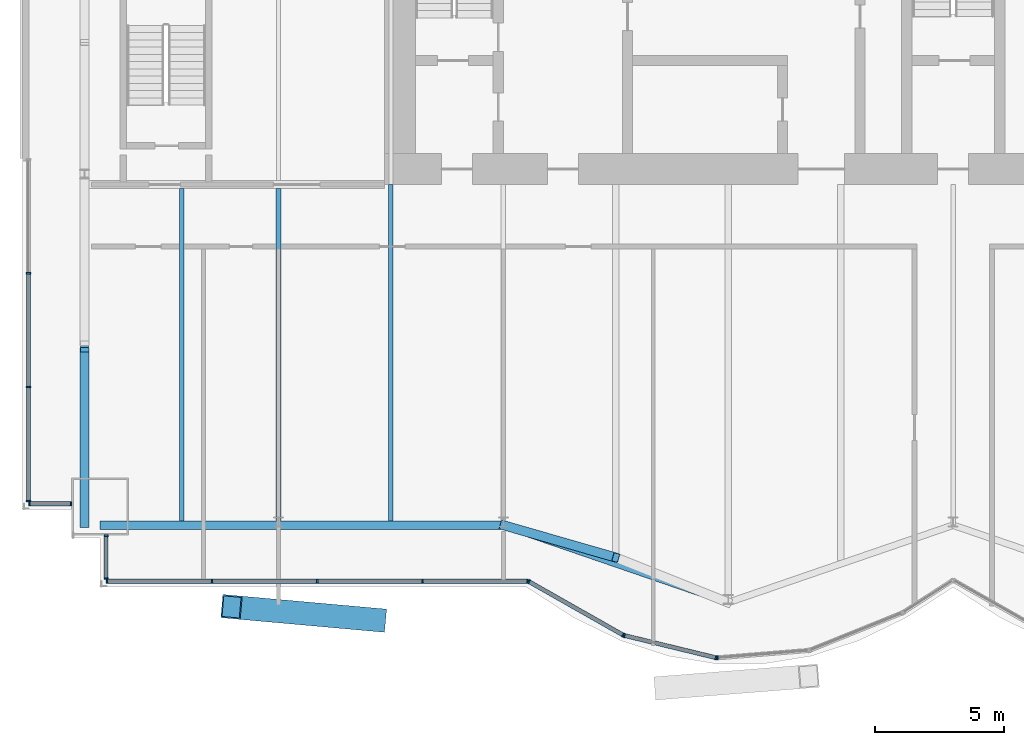
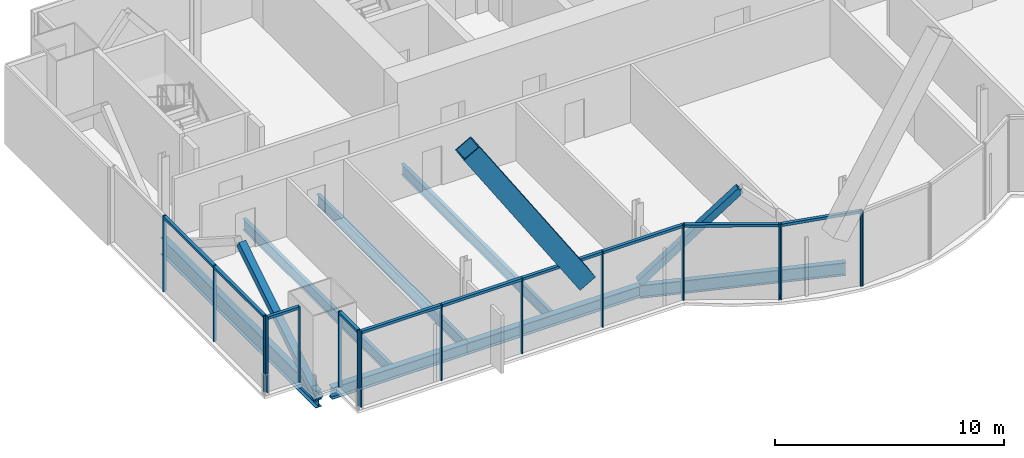
# One storey, part 5 of 19: 30 members, 7 beams, 5 elements without a shape of their own.
"""IFC4 building model written with IfcOpenShell, lengths in metres."""

from ifc_helpers import new_model, si_unit, direction, frame, origin, origin_2d, place, context, subcontext, project, spatial, rectangle, hollow_rectangle, i_section, extrude, material, material_profile, profile_set, type_object, element, aggregate, save


model = new_model("IFC4")

# Units and contexts
model_context = context("Model", 3, precision=1e-05, world=origin(), true_north=direction((0.0, 1.0)))
body_context = subcontext(model_context, "Body", "Model", "MODEL_VIEW")
ifc_project = project(units=[si_unit("LENGTHUNIT", "METRE"), si_unit("AREAUNIT", "SQUARE_METRE"), si_unit("VOLUMEUNIT", "CUBIC_METRE"), si_unit("PLANEANGLEUNIT", "RADIAN"), si_unit("MASSUNIT", "GRAM", prefix="KILO")], contexts=[model_context])

# Site, building, storey
site_placement = place(None, origin())
site = spatial("IfcSite", under=ifc_project, at=site_placement, CompositionType="ELEMENT")
building_placement = place(site_placement, origin())
building = spatial("IfcBuilding", under=site, at=building_placement, Name="Bicima Exchange Tower", CompositionType="ELEMENT")
storey_placement = place(building_placement, frame((0.0, 0.0, 270.800048828125)))
storey = spatial("IfcBuildingStorey", under=building, at=storey_placement, Name="L61", CompositionType="ELEMENT", Elevation=270.800048828125)

# Curtain wall, members
ifc_material_1 = material(Name="Anodised bronze aluminium", Category="aluminium")
curtain_wall_type_1 = type_object("IfcCurtainWallType", Name="End face glass wall", PredefinedType="NOTDEFINED", material=ifc_material_1)
curtain_wall_1_placement = place(storey_placement, origin())
curtain_wall_1 = element("IfcCurtainWall", 1, at=curtain_wall_1_placement, inside=storey, type_object=curtain_wall_type_1, Name="End face glass wall L61 run 2", PredefinedType="NOTDEFINED")
ifc_material_profile_1 = material_profile(ifc_material_1, rectangle(XDim=0.159912109375, YDim=0.06005859375, at=origin_2d()))
ifc_profile_set_1 = profile_set([ifc_material_profile_1], Name="Anodised bronze aluminium")
member_type_1 = type_object("IfcMemberType", Name="End face glass wall mullion 60 x 160", PredefinedType="MULLION", material=ifc_profile_set_1)
member_1_placement = place(storey_placement, frame((-35.77001953125, -16.433349609375, 0.0), z_axis=(0.0, 0.0, 1.0), x_axis=(1.0, 0.0, 0.0)))
member_1 = element("IfcMember", 2, at=member_1_placement, type_object=member_type_1, Name="End face glass wall mullion 2", PredefinedType="MULLION", context=body_context, shape_type="SweptSolid", body=[
    extrude(rectangle(XDim=0.159912109375, YDim=0.06005859375, at=origin_2d()), origin(), (0.0, 0.0, 1.0), 4.050048828125),
])
member_2_placement = place(storey_placement, frame((-35.77001953125, -20.836669921875, 0.0), z_axis=(0.0, 0.0, 1.0), x_axis=(1.0, 0.0, 0.0)))
member_2 = element("IfcMember", 3, at=member_2_placement, type_object=member_type_1, Name="End face glass wall mullion 3", PredefinedType="MULLION", context=body_context, shape_type="SweptSolid", body=[
    extrude(rectangle(XDim=0.159912109375, YDim=0.06005859375, at=origin_2d()), origin(), (0.0, 0.0, 1.0), 4.050048828125),
])
member_3_placement = place(storey_placement, frame((-35.77001953125, -25.239990234375, 0.0), z_axis=(0.0, 0.0, 1.0), x_axis=(1.0, 0.0, 0.0)))
member_3 = element("IfcMember", 4, at=member_3_placement, type_object=member_type_1, Name="End face glass wall mullion 4", PredefinedType="MULLION", context=body_context, shape_type="SweptSolid", body=[
    extrude(rectangle(XDim=0.159912109375, YDim=0.06005859375, at=origin_2d()), origin(), (0.0, 0.0, 1.0), 4.050048828125),
])
ifc_material_profile_2 = material_profile(ifc_material_1, rectangle(XDim=0.159912109375, YDim=0.139892578125, at=origin_2d()))
ifc_profile_set_2 = profile_set([ifc_material_profile_2], Name="Anodised bronze aluminium")
member_type_2 = type_object("IfcMemberType", Name="End face glass wall transom 140 x 160", PredefinedType="USERDEFINED", material=ifc_profile_set_2)
member_4_placement = place(storey_placement, frame((-35.77001953125, -16.46337890625, 3.97998046875), z_axis=(0.0, -1.0, 0.0), x_axis=(1.0, 0.0, 0.0)))
member_4 = element("IfcMember", 5, at=member_4_placement, type_object=member_type_2, Name="End face glass wall transom 2.1", ObjectType="TRANSOM", PredefinedType="USERDEFINED", context=body_context, shape_type="SweptSolid", body=[
    extrude(rectangle(XDim=0.159912109375, YDim=0.139892578125, at=origin_2d()), origin(), (0.0, 0.0, 1.0), 4.34326171875),
])
member_5_placement = place(storey_placement, frame((-35.77001953125, -20.86669921875, 3.97998046875), z_axis=(0.0, -1.0, 0.0), x_axis=(1.0, 0.0, 0.0)))
member_5 = element("IfcMember", 6, at=member_5_placement, type_object=member_type_2, Name="End face glass wall transom 3.1", ObjectType="TRANSOM", PredefinedType="USERDEFINED", context=body_context, shape_type="SweptSolid", body=[
    extrude(rectangle(XDim=0.159912109375, YDim=0.139892578125, at=origin_2d()), origin(), (0.0, 0.0, 1.0), 4.34326171875),
])
aggregate(curtain_wall_1, [member_1, member_2, member_3, member_4, member_5])

# Beam
ifc_material_2 = material(Name="Steel ASTM A992 Gr 50", Category="steel")
ifc_material_profile_3 = material_profile(ifc_material_2, i_section(OverallWidth=0.3046875, OverallDepth=0.911865234375, WebThickness=0.015869140625, FlangeThickness=0.02392578125, at=origin_2d()))
ifc_profile_set_3 = profile_set([ifc_material_profile_3], Name="Steel ASTM A992 Gr 50")
beam_type_1 = type_object("IfcBeamType", Name="End girder W36x150", PredefinedType="BEAM", material=ifc_profile_set_3)
beam_1_placement = place(storey_placement, frame((-33.60009765625, -12.60009765625, -0.60595703125), z_axis=(0.0, -1.0, 0.0), x_axis=(1.0, 0.0, 0.0)))
element("IfcBeam", 7, at=beam_1_placement, inside=storey, type_object=beam_type_1, Name="End girder", PredefinedType="BEAM", context=body_context, shape_type="SweptSolid", body=[
    extrude(i_section(OverallWidth=0.3046875, OverallDepth=0.911865234375, WebThickness=0.015869140625, FlangeThickness=0.02392578125, at=origin_2d()), origin(), (0.0, 0.0, 1.0), 13.579833984375),
])

# Member
ifc_material_3 = material(Name="Steel ASTM A572 Gr 50", Category="steel")
ifc_material_profile_4 = material_profile(ifc_material_3, hollow_rectangle(XDim=0.89990234375, YDim=0.89990234375, WallThickness=0.050048828125, at=origin_2d()))
ifc_profile_set_4 = profile_set([ifc_material_profile_4], Name="Steel ASTM A572 Gr 50")
member_type_3 = type_object("IfcMemberType", Name="Exo mega brace BOX 900x900x50", PredefinedType="BRACE", material=ifc_profile_set_4)
member_6_placement = place(storey_placement, frame((-22.333251953125, -29.841796875, 4.099853515625), z_axis=(-0.543893010913, 0.048657853097, 0.837742684845), x_axis=(-0.089106307825, -0.996022121193, 0.0)))
element("IfcMember", 8, at=member_6_placement, inside=storey, type_object=member_type_3, Name="Exo mega brace front", PredefinedType="BRACE", context=body_context, shape_type="SweptSolid", body=[
    extrude(hollow_rectangle(XDim=0.89990234375, YDim=0.89990234375, WallThickness=0.050048828125, at=origin_2d()), origin(), (0.0, 0.0, 1.0), 10.265869140625),
])

# Beams
ifc_material_profile_5 = material_profile(ifc_material_2, i_section(OverallWidth=0.177978515625, OverallDepth=0.599365234375, WebThickness=0.010009765625, FlangeThickness=0.012939453125, at=origin_2d()))
ifc_profile_set_5 = profile_set([ifc_material_profile_5], Name="Steel ASTM A992 Gr 50")
beam_type_2 = type_object("IfcBeamType", Name="Floor beam W24x55", PredefinedType="JOIST", material=ifc_profile_set_5)
for number, where, z_axis, x_axis, name in (
    (9, (-29.85009765625, -13.15234375, -0.44970703125), (0.0, -1.0, 0.0), (1.0, 0.0, 0.0), "Floor beam"),
    (10, (-26.10009765625, -13.15234375, -0.44970703125), (0.0, -1.0, 0.0), (1.0, 0.0, 0.0), "Floor beam"),
):
    element("IfcBeam", number, at=place(storey_placement, frame(where, z_axis=z_axis, x_axis=x_axis)), inside=storey, type_object=beam_type_2, Name=name, PredefinedType="JOIST", context=body_context, shape_type="SweptSolid", body=[
        extrude(i_section(OverallWidth=0.177978515625, OverallDepth=0.599365234375, WebThickness=0.010009765625, FlangeThickness=0.012939453125, at=origin_2d()), origin(), (0.0, 0.0, 1.0), 12.864990234375),
    ])
beam_2_placement = place(storey_placement, frame((-21.75, -13.0, -0.44970703125), z_axis=(0.0, -1.0, 0.0), x_axis=(1.0, 0.0, 0.0)))
element("IfcBeam", 11, at=beam_2_placement, inside=storey, type_object=beam_type_2, Name="Floor beam", PredefinedType="JOIST", context=body_context, shape_type="SweptSolid", body=[
    extrude(i_section(OverallWidth=0.177978515625, OverallDepth=0.599365234375, WebThickness=0.010009765625, FlangeThickness=0.012939453125, at=origin_2d()), origin(), (0.0, 0.0, 1.0), 13.017333984375),
])
ifc_material_profile_6 = material_profile(ifc_material_2, i_section(OverallWidth=0.3251953125, OverallDepth=0.612060546875, WebThickness=0.0126953125, FlangeThickness=0.01904296875, at=origin_2d()))
ifc_profile_set_6 = profile_set([ifc_material_profile_6], Name="Steel ASTM A992 Gr 50")
beam_type_3 = type_object("IfcBeamType", Name="Front girder W24x104", PredefinedType="BEAM", material=ifc_profile_set_6)
beam_3_placement = place(storey_placement, frame((-33.0, -26.179931640625, -0.4560546875), z_axis=(1.0, 0.0, 0.0), x_axis=(0.0, 1.0, 0.0)))
element("IfcBeam", 12, at=beam_3_placement, inside=storey, type_object=beam_type_3, Name="Front girder", PredefinedType="BEAM", context=body_context, shape_type="SweptSolid", body=[
    extrude(i_section(OverallWidth=0.3251953125, OverallDepth=0.612060546875, WebThickness=0.0126953125, FlangeThickness=0.01904296875, at=origin_2d()), origin(), (0.0, 0.0, 1.0), 6.89990234375),
])
beam_4_placement = place(storey_placement, frame((-26.10009765625, -26.179931640625, -0.4560546875), z_axis=(1.0, 0.0, 0.0), x_axis=(0.0, 1.0, 0.0)))
element("IfcBeam", 13, at=beam_4_placement, inside=storey, type_object=beam_type_3, Name="Front girder", PredefinedType="BEAM", context=body_context, shape_type="SweptSolid", body=[
    extrude(i_section(OverallWidth=0.3251953125, OverallDepth=0.612060546875, WebThickness=0.0126953125, FlangeThickness=0.01904296875, at=origin_2d()), origin(), (0.0, 0.0, 1.0), 8.7001953125),
])
ifc_material_profile_7 = material_profile(ifc_material_2, i_section(OverallWidth=0.256591796875, OverallDepth=0.693359375, WebThickness=0.014404296875, FlangeThickness=0.023681640625, at=origin_2d()))
ifc_profile_set_7 = profile_set([ifc_material_profile_7], Name="Steel ASTM A992 Gr 50")
beam_type_4 = type_object("IfcBeamType", Name="Front girder W27x114", PredefinedType="BEAM", material=ifc_profile_set_7)
beam_5_placement = place(storey_placement, frame((-17.39990234375, -26.179931640625, -0.496826171875), z_axis=(0.945666456746, -0.325138359143, 0.0), x_axis=(0.325138359143, 0.945666456746, 0.0)))
element("IfcBeam", 14, at=beam_5_placement, inside=storey, type_object=beam_type_4, Name="Front girder", PredefinedType="BEAM", context=body_context, shape_type="SweptSolid", body=[
    extrude(i_section(OverallWidth=0.256591796875, OverallDepth=0.693359375, WebThickness=0.014404296875, FlangeThickness=0.023681640625, at=origin_2d()), origin(), (0.0, 0.0, 1.0), 9.19970703125),
])

# Curtain wall, members
curtain_wall_type_2 = type_object("IfcCurtainWallType", Name="Front glass wall", PredefinedType="NOTDEFINED", material=ifc_material_1)
curtain_wall_2_placement = place(storey_placement, origin())
curtain_wall_2 = element("IfcCurtainWall", 15, at=curtain_wall_2_placement, inside=storey, type_object=curtain_wall_type_2, Name="Front glass wall L61 run 3", PredefinedType="NOTDEFINED")
member_type_4 = type_object("IfcMemberType", Name="Front glass wall mullion 60 x 160", PredefinedType="MULLION", material=ifc_profile_set_1)
member_7_placement = place(storey_placement, frame((-35.739990234375, -25.35009765625, 0.0), z_axis=(0.0, 0.0, 1.0), x_axis=(0.0, 1.0, 0.0)))
member_7 = element("IfcMember", 16, at=member_7_placement, type_object=member_type_4, Name="Front glass wall mullion 1", PredefinedType="MULLION", context=body_context, shape_type="SweptSolid", body=[
    extrude(rectangle(XDim=0.159912109375, YDim=0.06005859375, at=origin_2d()), origin(), (0.0, 0.0, 1.0), 4.050048828125),
])
member_8_placement = place(storey_placement, frame((-34.1298828125, -25.35009765625, 0.0), z_axis=(0.0, 0.0, 1.0), x_axis=(0.0, 1.0, 0.0)))
member_8 = element("IfcMember", 17, at=member_8_placement, type_object=member_type_4, Name="Front glass wall mullion 2", PredefinedType="MULLION", context=body_context, shape_type="SweptSolid", body=[
    extrude(rectangle(XDim=0.159912109375, YDim=0.06005859375, at=origin_2d()), origin(), (0.0, 0.0, 1.0), 4.050048828125),
])

curtain_wall_3_placement = place(storey_placement, origin())
curtain_wall_3 = element("IfcCurtainWall", 18, at=curtain_wall_3_placement, inside=storey, type_object=curtain_wall_type_2, Name="Front glass wall L61 run 4", PredefinedType="NOTDEFINED")
member_9_placement = place(storey_placement, frame((-32.77001953125, -26.587890625, 0.0), z_axis=(0.0, 0.0, 1.0), x_axis=(1.0, 0.0, 0.0)))
member_9 = element("IfcMember", 19, at=member_9_placement, type_object=member_type_4, Name="Front glass wall mullion 1", PredefinedType="MULLION", context=body_context, shape_type="SweptSolid", body=[
    extrude(rectangle(XDim=0.159912109375, YDim=0.06005859375, at=origin_2d()), origin(), (0.0, 0.0, 1.0), 4.050048828125),
])
member_10_placement = place(storey_placement, frame((-32.77001953125, -28.239990234375, 0.0), z_axis=(0.0, 0.0, 1.0), x_axis=(1.0, 0.0, 0.0)))
member_10 = element("IfcMember", 20, at=member_10_placement, type_object=member_type_4, Name="Front glass wall mullion 2", PredefinedType="MULLION", context=body_context, shape_type="SweptSolid", body=[
    extrude(rectangle(XDim=0.159912109375, YDim=0.06005859375, at=origin_2d()), origin(), (0.0, 0.0, 1.0), 4.050048828125),
])

curtain_wall_4_placement = place(storey_placement, origin())
curtain_wall_4 = element("IfcCurtainWall", 21, at=curtain_wall_4_placement, inside=storey, type_object=curtain_wall_type_2, Name="Front glass wall L61 run 5", PredefinedType="NOTDEFINED")
member_11_placement = place(storey_placement, frame((-32.739990234375, -28.35009765625, 0.0), z_axis=(0.0, 0.0, 1.0), x_axis=(0.0, 1.0, 0.0)))
member_11 = element("IfcMember", 22, at=member_11_placement, type_object=member_type_4, Name="Front glass wall mullion 1", PredefinedType="MULLION", context=body_context, shape_type="SweptSolid", body=[
    extrude(rectangle(XDim=0.159912109375, YDim=0.06005859375, at=origin_2d()), origin(), (0.0, 0.0, 1.0), 4.050048828125),
])
member_12_placement = place(storey_placement, frame((-28.67041015625, -28.35009765625, 0.0), z_axis=(0.0, 0.0, 1.0), x_axis=(0.0, 1.0, 0.0)))
member_12 = element("IfcMember", 23, at=member_12_placement, type_object=member_type_4, Name="Front glass wall mullion 2", PredefinedType="MULLION", context=body_context, shape_type="SweptSolid", body=[
    extrude(rectangle(XDim=0.159912109375, YDim=0.06005859375, at=origin_2d()), origin(), (0.0, 0.0, 1.0), 4.050048828125),
])
member_13_placement = place(storey_placement, frame((-24.60107421875, -28.35009765625, 0.0), z_axis=(0.0, 0.0, 1.0), x_axis=(0.0, 1.0, 0.0)))
member_13 = element("IfcMember", 24, at=member_13_placement, type_object=member_type_4, Name="Front glass wall mullion 3", PredefinedType="MULLION", context=body_context, shape_type="SweptSolid", body=[
    extrude(rectangle(XDim=0.159912109375, YDim=0.06005859375, at=origin_2d()), origin(), (0.0, 0.0, 1.0), 4.050048828125),
])
member_14_placement = place(storey_placement, frame((-20.531494140625, -28.35009765625, 0.0), z_axis=(0.0, 0.0, 1.0), x_axis=(0.0, 1.0, 0.0)))
member_14 = element("IfcMember", 25, at=member_14_placement, type_object=member_type_4, Name="Front glass wall mullion 4", PredefinedType="MULLION", context=body_context, shape_type="SweptSolid", body=[
    extrude(rectangle(XDim=0.159912109375, YDim=0.06005859375, at=origin_2d()), origin(), (0.0, 0.0, 1.0), 4.050048828125),
])
member_15_placement = place(storey_placement, frame((-16.462158203125, -28.35009765625, 0.0), z_axis=(0.0, 0.0, 1.0), x_axis=(0.0, 1.0, 0.0)))
member_15 = element("IfcMember", 26, at=member_15_placement, type_object=member_type_4, Name="Front glass wall mullion 5", PredefinedType="MULLION", context=body_context, shape_type="SweptSolid", body=[
    extrude(rectangle(XDim=0.159912109375, YDim=0.06005859375, at=origin_2d()), origin(), (0.0, 0.0, 1.0), 4.050048828125),
])

curtain_wall_5_placement = place(storey_placement, origin())
curtain_wall_5 = element("IfcCurtainWall", 27, at=curtain_wall_5_placement, inside=storey, type_object=curtain_wall_type_2, Name="Front glass wall L61 run 6", PredefinedType="NOTDEFINED")
member_16_placement = place(storey_placement, frame((-16.406005859375, -28.36474609375, 0.0), z_axis=(0.0, 0.0, 1.0), x_axis=(0.493395449343, 0.869805110681, 0.0)))
member_16 = element("IfcMember", 28, at=member_16_placement, type_object=member_type_4, Name="Front glass wall mullion 1", PredefinedType="MULLION", context=body_context, shape_type="SweptSolid", body=[
    extrude(rectangle(XDim=0.159912109375, YDim=0.06005859375, at=origin_2d()), origin(), (0.0, 0.0, 1.0), 4.050048828125),
])
member_17_placement = place(storey_placement, frame((-12.7734375, -30.42529296875, 0.0), z_axis=(0.0, 0.0, 1.0), x_axis=(0.493395449343, 0.869805110681, 0.0)))
member_17 = element("IfcMember", 29, at=member_17_placement, type_object=member_type_4, Name="Front glass wall mullion 2", PredefinedType="MULLION", context=body_context, shape_type="SweptSolid", body=[
    extrude(rectangle(XDim=0.159912109375, YDim=0.06005859375, at=origin_2d()), origin(), (0.0, 0.0, 1.0), 4.050048828125),
])
member_18_placement = place(storey_placement, frame((-12.718017578125, -30.447265625, 0.0), z_axis=(0.0, 0.0, 1.0), x_axis=(0.235681529503, 0.971830343553, 0.0)))
member_18 = element("IfcMember", 30, at=member_18_placement, type_object=member_type_4, Name="Front glass wall mullion 1", PredefinedType="MULLION", context=body_context, shape_type="SweptSolid", body=[
    extrude(rectangle(XDim=0.159912109375, YDim=0.06005859375, at=origin_2d()), origin(), (0.0, 0.0, 1.0), 4.050048828125),
])
member_19_placement = place(storey_placement, frame((-9.177490234375, -31.305908203125, 0.0), z_axis=(0.0, 0.0, 1.0), x_axis=(0.235681529503, 0.971830343553, 0.0)))
member_19 = element("IfcMember", 31, at=member_19_placement, type_object=member_type_4, Name="Front glass wall mullion 2", PredefinedType="MULLION", context=body_context, shape_type="SweptSolid", body=[
    extrude(rectangle(XDim=0.159912109375, YDim=0.06005859375, at=origin_2d()), origin(), (0.0, 0.0, 1.0), 4.050048828125),
])
member_20_placement = place(storey_placement, frame((-9.118408203125, -31.310546875, 0.0), z_axis=(0.0, 0.0, 1.0), x_axis=(-0.080588612633, 0.99674744821, 0.0)))
member_20 = element("IfcMember", 32, at=member_20_placement, type_object=member_type_4, Name="Front glass wall mullion 1", PredefinedType="MULLION", context=body_context, shape_type="SweptSolid", body=[
    extrude(rectangle(XDim=0.159912109375, YDim=0.06005859375, at=origin_2d()), origin(), (0.0, 0.0, 1.0), 4.050048828125),
])

# Member
member_type_5 = type_object("IfcMemberType", Name="Front glass wall transom 140 x 160", PredefinedType="USERDEFINED", material=ifc_profile_set_2)
member_21_placement = place(storey_placement, frame((-35.7099609375, -25.35009765625, 3.97998046875), z_axis=(1.0, 0.0, 0.0), x_axis=(0.0, 1.0, 0.0)))
member_21 = element("IfcMember", 33, at=member_21_placement, type_object=member_type_5, Name="Front glass wall transom 1.1", ObjectType="TRANSOM", PredefinedType="USERDEFINED", context=body_context, shape_type="SweptSolid", body=[
    extrude(rectangle(XDim=0.159912109375, YDim=0.139892578125, at=origin_2d()), origin(), (0.0, 0.0, 1.0), 1.550048828125),
])

aggregate(curtain_wall_2, [member_7, member_8, member_21])

member_22_placement = place(storey_placement, frame((-32.77001953125, -26.617919921875, 3.97998046875), z_axis=(0.0, -1.0, 0.0), x_axis=(1.0, 0.0, 0.0)))
member_22 = element("IfcMember", 34, at=member_22_placement, type_object=member_type_5, Name="Front glass wall transom 1.1", ObjectType="TRANSOM", PredefinedType="USERDEFINED", context=body_context, shape_type="SweptSolid", body=[
    extrude(rectangle(XDim=0.159912109375, YDim=0.139892578125, at=origin_2d()), origin(), (0.0, 0.0, 1.0), 1.592041015625),
])

aggregate(curtain_wall_3, [member_9, member_10, member_22])

member_23_placement = place(storey_placement, frame((-32.7099609375, -28.35009765625, 3.97998046875), z_axis=(1.0, 0.0, 0.0), x_axis=(0.0, 1.0, 0.0)))
member_23 = element("IfcMember", 35, at=member_23_placement, type_object=member_type_5, Name="Front glass wall transom 1.1", ObjectType="TRANSOM", PredefinedType="USERDEFINED", context=body_context, shape_type="SweptSolid", body=[
    extrude(rectangle(XDim=0.159912109375, YDim=0.139892578125, at=origin_2d()), origin(), (0.0, 0.0, 1.0), 4.009521484375),
])

member_24_placement = place(storey_placement, frame((-28.640380859375, -28.35009765625, 3.97998046875), z_axis=(1.0, 0.0, 0.0), x_axis=(0.0, 1.0, 0.0)))
member_24 = element("IfcMember", 36, at=member_24_placement, type_object=member_type_5, Name="Front glass wall transom 2.1", ObjectType="TRANSOM", PredefinedType="USERDEFINED", context=body_context, shape_type="SweptSolid", body=[
    extrude(rectangle(XDim=0.159912109375, YDim=0.139892578125, at=origin_2d()), origin(), (0.0, 0.0, 1.0), 4.00927734375),
])

member_25_placement = place(storey_placement, frame((-24.571044921875, -28.35009765625, 3.97998046875), z_axis=(1.0, 0.0, 0.0), x_axis=(0.0, 1.0, 0.0)))
member_25 = element("IfcMember", 37, at=member_25_placement, type_object=member_type_5, Name="Front glass wall transom 3.1", ObjectType="TRANSOM", PredefinedType="USERDEFINED", context=body_context, shape_type="SweptSolid", body=[
    extrude(rectangle(XDim=0.159912109375, YDim=0.139892578125, at=origin_2d()), origin(), (0.0, 0.0, 1.0), 4.009521484375),
])

member_26_placement = place(storey_placement, frame((-20.501708984375, -28.35009765625, 3.97998046875), z_axis=(1.0, 0.0, 0.0), x_axis=(0.0, 1.0, 0.0)))
member_26 = element("IfcMember", 38, at=member_26_placement, type_object=member_type_5, Name="Front glass wall transom 4.1", ObjectType="TRANSOM", PredefinedType="USERDEFINED", context=body_context, shape_type="SweptSolid", body=[
    extrude(rectangle(XDim=0.159912109375, YDim=0.139892578125, at=origin_2d()), origin(), (0.0, 0.0, 1.0), 4.009521484375),
])

aggregate(curtain_wall_4, [member_11, member_12, member_13, member_14, member_15, member_23, member_24, member_25, member_26])

member_27_placement = place(storey_placement, frame((-16.3798828125, -28.379638671875, 3.97998046875), z_axis=(0.869797371721, -0.49340909208, 0.0), x_axis=(0.49340909208, 0.869797371721, 0.0)))
member_27 = element("IfcMember", 39, at=member_27_placement, type_object=member_type_5, Name="Front glass wall transom 1.1", ObjectType="TRANSOM", PredefinedType="USERDEFINED", context=body_context, shape_type="SweptSolid", body=[
    extrude(rectangle(XDim=0.159912109375, YDim=0.139892578125, at=origin_2d()), origin(), (0.0, 0.0, 1.0), 4.1162109375),
])

member_28_placement = place(storey_placement, frame((-12.68896484375, -30.454345703125, 3.97998046875), z_axis=(0.971833557815, -0.235668275132, 0.0), x_axis=(0.235668275132, 0.971833557815, 0.0)))
member_28 = element("IfcMember", 40, at=member_28_placement, type_object=member_type_5, Name="Front glass wall transom 1.1", ObjectType="TRANSOM", PredefinedType="USERDEFINED", context=body_context, shape_type="SweptSolid", body=[
    extrude(rectangle(XDim=0.159912109375, YDim=0.139892578125, at=origin_2d()), origin(), (0.0, 0.0, 1.0), 3.583251953125),
])

aggregate(curtain_wall_5, [member_16, member_17, member_27, member_18, member_19, member_28, member_20])

# Members
ifc_material_profile_8 = material_profile(ifc_material_3, hollow_rectangle(XDim=0.355712890625, YDim=0.355712890625, WallThickness=0.0146484375, at=origin_2d()))
ifc_profile_set_8 = profile_set([ifc_material_profile_8], Name="Steel ASTM A572 Gr 50")
member_type_6 = type_object("IfcMemberType", Name="Mega brace HSS14x14x5/8", PredefinedType="BRACE", material=ifc_profile_set_8)
member_29_placement = place(storey_placement, frame((-17.39990234375, -26.179931640625, 0.0), z_axis=(0.704463393318, -0.202676059614, 0.680186549657), x_axis=(0.27648739579, 0.961017544049, 0.0)))
element("IfcMember", 41, at=member_29_placement, inside=storey, type_object=member_type_6, Name="Mega brace front", PredefinedType="BRACE", context=body_context, shape_type="SweptSolid", body=[
    extrude(hollow_rectangle(XDim=0.355712890625, YDim=0.355712890625, WallThickness=0.0146484375, at=origin_2d()), origin(), (0.0, 0.0, 1.0), 6.1748046875),
])
member_30_placement = place(storey_placement, frame((-33.60009765625, -26.179931640625, -0.60595703125), z_axis=(0.0, 0.850456032441, 0.5260461357), x_axis=(-1.0, 0.0, 0.0)))
element("IfcMember", 42, at=member_30_placement, inside=storey, type_object=member_type_6, Name="Mega brace west end", PredefinedType="BRACE", context=body_context, shape_type="SweptSolid", body=[
    extrude(hollow_rectangle(XDim=0.355712890625, YDim=0.355712890625, WallThickness=0.0146484375, at=origin_2d()), origin(), (0.0, 0.0, 1.0), 7.98388671875),
])

save(model, "model.ifc")
